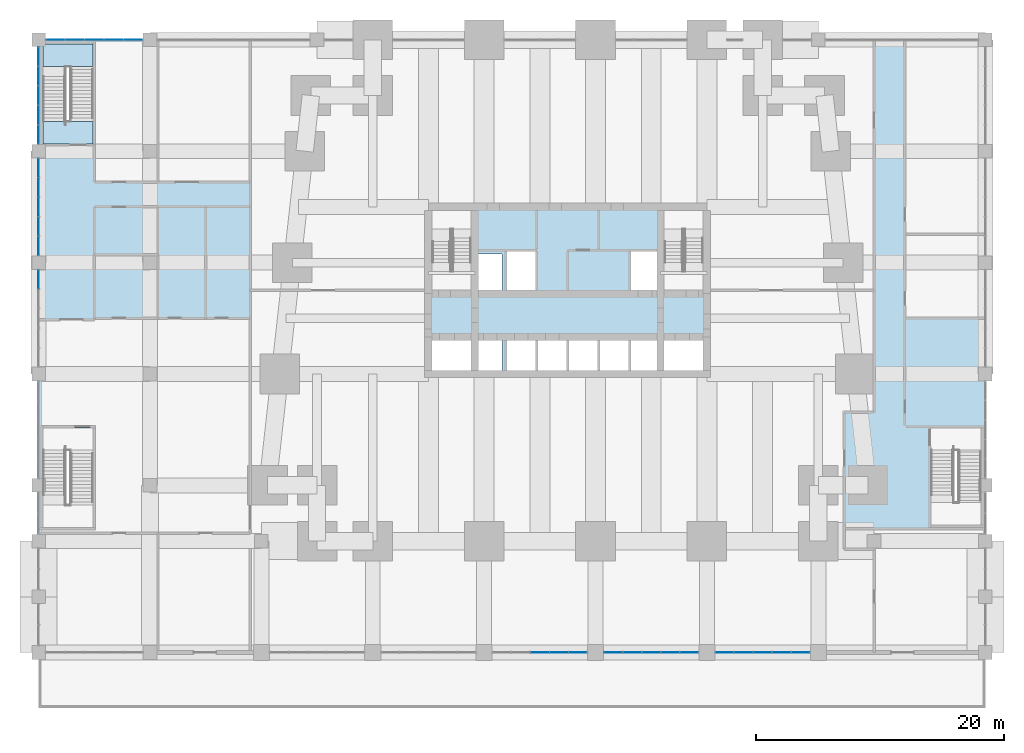
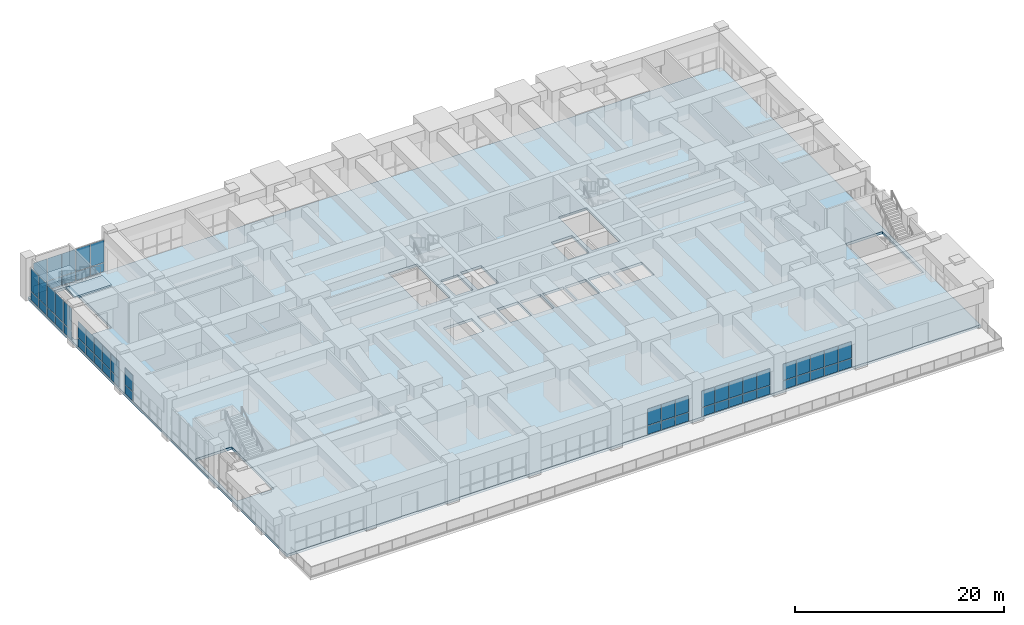
# One storey, part 18 of 27: 58 plates, 3 slabs, 8 elements without a shape of their own.
"""IFC4 building model written with IfcOpenShell, lengths in metres."""

import ifcopenshell
import ifcopenshell.guid

model = None  # the IFC model being written
_history = None  # IfcOwnerHistory: only IFC2X3 demands one
_inside = {}  # id of a spatial element -> (the spatial element, [elements in it])
_under = {}  # id of a project, library or spatial element -> (it, [spatial elements below it])
_declared = {}  # id of a project -> (the project, [libraries it declares])
_typed = {}  # id of a type object -> (the type object, [elements of that type])
_made_of = {}  # id of a material, layer set ... -> (it, [elements and type objects made of it])


def new_model(schema):
    """Start an empty IFC model of exactly this schema.

    Asked for "IFC4X3", IfcOpenShell would pick the latest addendum, in which some entities
    have other attributes; the version numbers below select the first issue.
    IFC2X3 requires an IfcOwnerHistory on every rooted entity: one is made here for all.
    """
    global model, _history
    if schema == "IFC4X3":
        model = ifcopenshell.file(schema_version=(4, 3, 0, 0))
    else:
        model = ifcopenshell.file(schema=schema)
    _inside.clear()
    _under.clear()
    _declared.clear()
    _typed.clear()
    _made_of.clear()
    _history = None
    if model.schema == "IFC2X3":
        org = make("IfcOrganization", Name="unknown")
        user = make(
            "IfcPersonAndOrganization",
            ThePerson=make("IfcPerson", FamilyName="unknown"),
            TheOrganization=org,
        )
        app = make(
            "IfcApplication",
            ApplicationDeveloper=org,
            Version="unknown",
            ApplicationFullName="unknown",
            ApplicationIdentifier="unknown",
        )
        _history = make(
            "IfcOwnerHistory",
            OwningUser=user,
            OwningApplication=app,
            ChangeAction="ADDED",
            CreationDate=0,
        )
    return model


def make(cls, **values):
    """One entity of the class cls with the attributes given. An attribute that is None is left unset."""
    return model.create_entity(
        cls, **{name: value for name, value in values.items() if value is not None}
    )


def rooted(cls, **values):
    """An entity with a GlobalId (a new one), such as an element, a storey or a relation."""
    return make(cls, GlobalId=ifcopenshell.guid.new(), OwnerHistory=_history, **values)


def si_unit(unit_type, name, prefix=None):
    """IfcSIUnit, for example si_unit("LENGTHUNIT", "METRE", prefix="MILLI")."""
    return make("IfcSIUnit", UnitType=unit_type, Prefix=prefix, Name=name)


def assignment(units):
    """IfcUnitAssignment: the units of a project."""
    return None if units is None else make("IfcUnitAssignment", Units=units)


def point(xyz):
    """IfcCartesianPoint."""
    return None if xyz is None else make("IfcCartesianPoint", Coordinates=xyz)


def direction(xyz):
    """IfcDirection."""
    return None if xyz is None else make("IfcDirection", DirectionRatios=xyz)


def frame(location, z_axis=None, x_axis=None):
    """IfcAxis2Placement3D, a coordinate frame: its origin and axes. An axis left out is left unset."""
    return make(
        "IfcAxis2Placement3D",
        Location=point(location),
        Axis=direction(z_axis),
        RefDirection=direction(x_axis),
    )


def frame_2d(location, x_axis=None):
    """IfcAxis2Placement2D, a coordinate frame in the plane: its origin and x axis."""
    return make(
        "IfcAxis2Placement2D", Location=point(location), RefDirection=direction(x_axis)
    )


def origin():
    """The frame at (0, 0, 0) with its axes left unset."""
    return frame((0.0, 0.0, 0.0))


def origin_2d():
    """The frame at (0, 0) in the plane with its x axis left unset."""
    return frame_2d((0.0, 0.0))


def place(relative_to, where):
    """IfcLocalPlacement: puts the frame where relative to a parent placement (None: the world)."""
    return make(
        "IfcLocalPlacement", PlacementRelTo=relative_to, RelativePlacement=where
    )


def context(
    kind, dimensions, precision=None, world=None, true_north=None, identifier=None
):
    """IfcGeometricRepresentationContext, for example the 3D "Model" context."""
    return make(
        "IfcGeometricRepresentationContext",
        ContextIdentifier=identifier,
        ContextType=kind,
        CoordinateSpaceDimension=dimensions,
        Precision=precision,
        WorldCoordinateSystem=world,
        TrueNorth=true_north,
    )


def subcontext(parent, identifier, kind, view, scale=None):
    """IfcGeometricRepresentationSubContext, for example "Body" below "Model"."""
    return make(
        "IfcGeometricRepresentationSubContext",
        ContextIdentifier=identifier,
        ContextType=kind,
        ParentContext=parent,
        TargetScale=scale,
        TargetView=view,
    )


def project(units=None, contexts=None):
    """IfcProject with its units and contexts."""
    return rooted(
        "IfcProject",
        Name="project",
        RepresentationContexts=contexts,
        UnitsInContext=assignment(units),
    )


def spatial(cls, under=None, at=None, **own):
    """A site, building, storey or space (cls), placed at a placement, below another one or the project."""
    s = rooted(cls, ObjectPlacement=at, **own)
    if under is not None:
        _under.setdefault(under.id(), (under, []))[1].append(s)
    return s


def polyline(points):
    """IfcPolyline through the points."""
    return make("IfcPolyline", Points=[point(p) for p in points])


def profile(cls, at=None, kind="AREA", **sizes):
    """A parametric profile (cls). Its sizes go by their IFC names, for example OverallWidth=200.0."""
    return make(cls, ProfileType=kind, Position=at, **sizes)


def rectangle(**sizes):
    """IfcRectangleProfileDef."""
    return profile("IfcRectangleProfileDef", **sizes)


def outline(outer, holes=None, kind="AREA"):
    """IfcArbitraryClosedProfileDef: a profile drawn as a closed curve; with holes, ...WithVoids."""
    if holes is None:
        return make("IfcArbitraryClosedProfileDef", ProfileType=kind, OuterCurve=outer)
    return make(
        "IfcArbitraryProfileDefWithVoids",
        ProfileType=kind,
        OuterCurve=outer,
        InnerCurves=holes,
    )


def extrude(swept, where, along, depth):
    """IfcExtrudedAreaSolid: the profile swept, set in the frame where, extruded along a direction by depth."""
    return make(
        "IfcExtrudedAreaSolid",
        SweptArea=swept,
        Position=where,
        ExtrudedDirection=direction(along),
        Depth=depth,
    )


def shape(context_of_items, identifier, shape_type, items):
    """IfcShapeRepresentation: the items that make up one representation, for example the "Body"."""
    return make(
        "IfcShapeRepresentation",
        ContextOfItems=context_of_items,
        RepresentationIdentifier=identifier,
        RepresentationType=shape_type,
        Items=items,
    )


def material(Name=None, Category=None):
    """IfcMaterial."""
    return make("IfcMaterial", Name=Name, Category=Category)


def layer(
    of_material, thickness, ventilated=None, Name=None, Category=None, Priority=None
):
    """IfcMaterialLayer: one layer of a wall or slab, of a material (None: an air gap)."""
    return make(
        "IfcMaterialLayer",
        Material=of_material,
        LayerThickness=thickness,
        IsVentilated=ventilated,
        Name=Name,
        Category=Category,
        Priority=Priority,
    )


def layer_set(layers, Name=None):
    """IfcMaterialLayerSet."""
    return make("IfcMaterialLayerSet", MaterialLayers=layers, LayerSetName=Name)


def made_of(thing, what):
    """Note that an element or type object is made of a material, layer set ...; save() writes the relation."""
    if what is not None:
        _made_of.setdefault(what.id(), (what, []))[1].append(thing)
    return thing


def type_object(cls, material=None, **own):
    """A type object (cls), such as IfcWallType, which elements share."""
    return made_of(rooted(cls, **own), material)


def element(
    cls,
    number,
    at=None,
    inside=None,
    cuts=None,
    type_object=None,
    material=None,
    context=None,
    identifier="Body",
    shape_type=None,
    held_by="IfcProductDefinitionShape",
    body=None,
    shapes=None,
    **own,
):
    """One element of the class cls, such as IfcWall. Its Tag is "e" and its number.

    at: its placement. inside: the storey or other place that contains it. cuts: it is an
    opening in that element (IfcRelVoidsElement). A single representation is given by context,
    identifier, shape_type and body (its items); several are given by shapes. held_by: the class
    of the entity that holds the representations. save() writes the other relations.
    """
    e = rooted(cls, Tag="e%d" % number, ObjectPlacement=at, **own)
    if body is not None:
        shapes = [shape(context, identifier, shape_type, body)]
    if shapes is not None:
        e.Representation = make(held_by, Representations=shapes)
    if inside is not None:
        _inside.setdefault(inside.id(), (inside, []))[1].append(e)
    if cuts is not None:
        rooted(
            "IfcRelVoidsElement", RelatingBuildingElement=cuts, RelatedOpeningElement=e
        )
    if type_object is not None:
        _typed.setdefault(type_object.id(), (type_object, []))[1].append(e)
    return made_of(e, material)


def aggregate(whole, parts):
    """IfcRelAggregates: a whole, such as a stair, and the parts it consists of."""
    return rooted("IfcRelAggregates", RelatingObject=whole, RelatedObjects=parts)


def save(model, path):
    """Write the relations noted so far, then the file.

    IfcRelAggregates (storeys below a building ...), IfcRelContainedInSpatialStructure (elements
    in a storey), IfcRelDefinesByType, IfcRelAssociatesMaterial and IfcRelDeclares: one each for
    every whole, place, type object, material and project.
    """
    for whole, parts in _under.values():
        aggregate(whole, parts)
    for where, things in _inside.values():
        rooted(
            "IfcRelContainedInSpatialStructure",
            RelatedElements=things,
            RelatingStructure=where,
        )
    for kind, things in _typed.values():
        rooted("IfcRelDefinesByType", RelatedObjects=things, RelatingType=kind)
    for what, things in _made_of.values():
        rooted("IfcRelAssociatesMaterial", RelatedObjects=things, RelatingMaterial=what)
    for by, libraries in _declared.values():
        rooted("IfcRelDeclares", RelatingContext=by, RelatedDefinitions=libraries)
    model.write(path)


model = new_model("IFC4")

# Units and contexts
model_context = context("Model", 3, precision=1e-05, world=origin(), true_north=direction((0.0, 1.0)))
body_context = subcontext(model_context, "Body", "Model", "MODEL_VIEW")
ifc_project = project(units=[si_unit("LENGTHUNIT", "METRE"), si_unit("AREAUNIT", "SQUARE_METRE"), si_unit("VOLUMEUNIT", "CUBIC_METRE"), si_unit("PLANEANGLEUNIT", "RADIAN"), si_unit("MASSUNIT", "GRAM", prefix="KILO")], contexts=[model_context])

# Site, building, storey
site_placement = place(None, origin())
site = spatial("IfcSite", under=ifc_project, at=site_placement, CompositionType="ELEMENT")
building_placement = place(site_placement, origin())
building = spatial("IfcBuilding", under=site, at=building_placement, Name="Kilele Tower Hotel", CompositionType="ELEMENT")
storey_placement = place(building_placement, frame((0.0, 0.0, 6.0)))
storey = spatial("IfcBuildingStorey", under=building, at=storey_placement, Name="L01", CompositionType="ELEMENT", Elevation=6.0)

# Slab
ifc_material_1 = material(Name="Concrete C60/75", Category="concrete")
ifc_layer_1 = layer(ifc_material_1, 0.300048828125)
ifc_layer_set_1 = layer_set([ifc_layer_1], Name="Concrete C60/75")
slab_type_1 = type_object("IfcSlabType", Name="Floor slab 300", PredefinedType="FLOOR", material=ifc_layer_set_1)
slab_1_placement = place(storey_placement, frame((0.0, 0.0, -0.300048828125)))
element("IfcSlab", 1, at=slab_1_placement, inside=storey, type_object=slab_type_1, Name="Floor slab L01", PredefinedType="FLOOR", context=body_context, shape_type="SweptSolid", body=[
    extrude(outline(polyline([(-18.0, -9.0), (-18.0, 40.5), (58.5, 40.5), (58.5, -9.0), (-18.0, -9.0)]), holes=[polyline([(-13.60009765625, 1.10009765625), (-13.60009765625, 9.14990234375), (-17.64990234375, 9.14990234375), (-17.64990234375, 1.10009765625), (-13.60009765625, 1.10009765625)]), polyline([(16.949951171875, 13.800048828125), (16.949951171875, 16.199951171875), (13.800048828125, 16.199951171875), (13.800048828125, 13.800048828125), (16.949951171875, 13.800048828125)]), polyline([(19.449951171875, 13.800048828125), (19.449951171875, 16.199951171875), (17.550048828125, 16.199951171875), (17.550048828125, 13.800048828125), (19.449951171875, 13.800048828125)]), polyline([(22.14990234375, 13.800048828125), (22.14990234375, 16.39990234375), (19.85009765625, 16.39990234375), (19.85009765625, 13.800048828125), (22.14990234375, 13.800048828125)]), polyline([(19.449951171875, 20.300048828125), (19.449951171875, 23.199951171875), (17.550048828125, 23.199951171875), (17.550048828125, 20.300048828125), (19.449951171875, 20.300048828125)]), polyline([(22.14990234375, 20.10009765625), (22.14990234375, 23.39990234375), (19.85009765625, 23.39990234375), (19.85009765625, 20.10009765625), (22.14990234375, 20.10009765625)]), polyline([(16.949951171875, 20.300048828125), (16.949951171875, 26.699951171875), (13.800048828125, 26.699951171875), (13.800048828125, 20.300048828125), (16.949951171875, 20.300048828125)]), polyline([(-13.60009765625, 32.10009765625), (-13.60009765625, 40.14990234375), (-17.64990234375, 40.14990234375), (-17.64990234375, 32.10009765625), (-13.60009765625, 32.10009765625)]), polyline([(58.14990234375, 1.300048828125), (58.14990234375, 9.14990234375), (54.10009765625, 9.14990234375), (54.10009765625, 1.300048828125), (58.14990234375, 1.300048828125)]), polyline([(35.699951171875, 13.800048828125), (35.699951171875, 16.199951171875), (32.550048828125, 16.199951171875), (32.550048828125, 13.800048828125), (35.699951171875, 13.800048828125)]), polyline([(24.64990234375, 13.800048828125), (24.64990234375, 16.39990234375), (22.35009765625, 16.39990234375), (22.35009765625, 13.800048828125), (24.64990234375, 13.800048828125)]), polyline([(27.14990234375, 13.800048828125), (27.14990234375, 16.39990234375), (24.85009765625, 16.39990234375), (24.85009765625, 13.800048828125), (27.14990234375, 13.800048828125)]), polyline([(29.64990234375, 13.800048828125), (29.64990234375, 16.39990234375), (27.35009765625, 16.39990234375), (27.35009765625, 13.800048828125), (29.64990234375, 13.800048828125)]), polyline([(32.14990234375, 13.800048828125), (32.14990234375, 16.39990234375), (29.85009765625, 16.39990234375), (29.85009765625, 13.800048828125), (32.14990234375, 13.800048828125)]), polyline([(32.14990234375, 20.10009765625), (32.14990234375, 23.39990234375), (29.85009765625, 23.39990234375), (29.85009765625, 20.10009765625), (32.14990234375, 20.10009765625)]), polyline([(35.699951171875, 20.300048828125), (35.699951171875, 26.699951171875), (32.550048828125, 26.699951171875), (32.550048828125, 20.300048828125), (35.699951171875, 20.300048828125)])]), origin(), (0.0, 0.0, 1.0), 0.300048828125),
])

# Curtain wall, plates
ifc_material_2 = material(Name="Aluminium curtain wall, clear double glazing", Category="aluminium")
curtain_wall_type_1 = type_object("IfcCurtainWallType", Name="Podium curtain wall CW-1", PredefinedType="NOTDEFINED", material=ifc_material_2)
curtain_wall_1_placement = place(storey_placement, origin())
curtain_wall_1 = element("IfcCurtainWall", 2, at=curtain_wall_1_placement, inside=storey, type_object=curtain_wall_type_1, Name="Podium curtain wall CW-1 L01", PredefinedType="NOTDEFINED")
ifc_material_3 = material(Name="Clear double glazing", Category="glass")
ifc_layer_2 = layer(ifc_material_3, 0.028076171875)
ifc_layer_set_2 = layer_set([ifc_layer_2], Name="Clear double glazing")
plate_type_1 = type_object("IfcPlateType", Name="Glazed panel 28 CW-1", PredefinedType="CURTAIN_PANEL", material=ifc_layer_set_2)
plate_1_placement = place(storey_placement, frame((22.5, -9.0, 0.06005859375), z_axis=(0.0, 0.0, 1.0), x_axis=(1.0, 0.0, 0.0)))
plate_1 = element("IfcPlate", 3, at=plate_1_placement, type_object=plate_type_1, Name="CW-1 panel 3.1", PredefinedType="CURTAIN_PANEL", context=body_context, shape_type="SweptSolid", body=[
    extrude(rectangle(XDim=1.47998046875, YDim=0.028076171875, at=origin_2d()), origin(), (0.0, 0.0, 1.0), 1.010009765625),
])
plate_2_placement = place(storey_placement, frame((22.5, -9.0, 1.1298828125), z_axis=(0.0, 0.0, 1.0), x_axis=(1.0, 0.0, 0.0)))
plate_2 = element("IfcPlate", 4, at=plate_2_placement, type_object=plate_type_1, Name="CW-1 panel 3.2", PredefinedType="CURTAIN_PANEL", context=body_context, shape_type="SweptSolid", body=[
    extrude(rectangle(XDim=1.47998046875, YDim=0.028076171875, at=origin_2d()), origin(), (0.0, 0.0, 1.0), 1.909912109375),
])
plate_3_placement = place(storey_placement, frame((24.0400390625, -9.0, 0.06005859375), z_axis=(0.0, 0.0, 1.0), x_axis=(1.0, 0.0, 0.0)))
plate_3 = element("IfcPlate", 5, at=plate_3_placement, type_object=plate_type_1, Name="CW-1 panel 4.1", PredefinedType="CURTAIN_PANEL", context=body_context, shape_type="SweptSolid", body=[
    extrude(rectangle(XDim=1.47998046875, YDim=0.028076171875, at=origin_2d()), origin(), (0.0, 0.0, 1.0), 1.010009765625),
])
plate_4_placement = place(storey_placement, frame((24.0400390625, -9.0, 1.1298828125), z_axis=(0.0, 0.0, 1.0), x_axis=(1.0, 0.0, 0.0)))
plate_4 = element("IfcPlate", 6, at=plate_4_placement, type_object=plate_type_1, Name="CW-1 panel 4.2", PredefinedType="CURTAIN_PANEL", context=body_context, shape_type="SweptSolid", body=[
    extrude(rectangle(XDim=1.47998046875, YDim=0.028076171875, at=origin_2d()), origin(), (0.0, 0.0, 1.0), 1.909912109375),
])
plate_5_placement = place(storey_placement, frame((25.56494140625, -9.0, 0.06005859375), z_axis=(0.0, 0.0, 1.0), x_axis=(1.0, 0.0, 0.0)))
plate_5 = element("IfcPlate", 7, at=plate_5_placement, type_object=plate_type_1, Name="CW-1 panel 5.1", PredefinedType="CURTAIN_PANEL", context=body_context, shape_type="SweptSolid", body=[
    extrude(rectangle(XDim=1.449951171875, YDim=0.028076171875, at=origin_2d()), origin(), (0.0, 0.0, 1.0), 1.010009765625),
])
plate_6_placement = place(storey_placement, frame((25.56494140625, -9.0, 1.1298828125), z_axis=(0.0, 0.0, 1.0), x_axis=(1.0, 0.0, 0.0)))
plate_6 = element("IfcPlate", 8, at=plate_6_placement, type_object=plate_type_1, Name="CW-1 panel 5.2", PredefinedType="CURTAIN_PANEL", context=body_context, shape_type="SweptSolid", body=[
    extrude(rectangle(XDim=1.449951171875, YDim=0.028076171875, at=origin_2d()), origin(), (0.0, 0.0, 1.0), 1.909912109375),
])
aggregate(curtain_wall_1, [plate_1, plate_2, plate_3, plate_4, plate_5, plate_6])

curtain_wall_2_placement = place(storey_placement, origin())
curtain_wall_2 = element("IfcCurtainWall", 9, at=curtain_wall_2_placement, inside=storey, type_object=curtain_wall_type_1, Name="Podium curtain wall CW-1 L01", PredefinedType="NOTDEFINED")
plate_7_placement = place(storey_placement, frame((28.43505859375, -9.0, 0.06005859375), z_axis=(0.0, 0.0, 1.0), x_axis=(1.0, 0.0, 0.0)))
plate_7 = element("IfcPlate", 10, at=plate_7_placement, type_object=plate_type_1, Name="CW-1 panel 1.1", PredefinedType="CURTAIN_PANEL", context=body_context, shape_type="SweptSolid", body=[
    extrude(rectangle(XDim=1.449951171875, YDim=0.028076171875, at=origin_2d()), origin(), (0.0, 0.0, 1.0), 1.010009765625),
])
plate_8_placement = place(storey_placement, frame((28.43505859375, -9.0, 1.1298828125), z_axis=(0.0, 0.0, 1.0), x_axis=(1.0, 0.0, 0.0)))
plate_8 = element("IfcPlate", 11, at=plate_8_placement, type_object=plate_type_1, Name="CW-1 panel 1.2", PredefinedType="CURTAIN_PANEL", context=body_context, shape_type="SweptSolid", body=[
    extrude(rectangle(XDim=1.449951171875, YDim=0.028076171875, at=origin_2d()), origin(), (0.0, 0.0, 1.0), 1.909912109375),
])
plate_9_placement = place(storey_placement, frame((29.9599609375, -9.0, 0.06005859375), z_axis=(0.0, 0.0, 1.0), x_axis=(1.0, 0.0, 0.0)))
plate_9 = element("IfcPlate", 12, at=plate_9_placement, type_object=plate_type_1, Name="CW-1 panel 2.1", PredefinedType="CURTAIN_PANEL", context=body_context, shape_type="SweptSolid", body=[
    extrude(rectangle(XDim=1.47998046875, YDim=0.028076171875, at=origin_2d()), origin(), (0.0, 0.0, 1.0), 1.010009765625),
])
plate_10_placement = place(storey_placement, frame((29.9599609375, -9.0, 1.1298828125), z_axis=(0.0, 0.0, 1.0), x_axis=(1.0, 0.0, 0.0)))
plate_10 = element("IfcPlate", 13, at=plate_10_placement, type_object=plate_type_1, Name="CW-1 panel 2.2", PredefinedType="CURTAIN_PANEL", context=body_context, shape_type="SweptSolid", body=[
    extrude(rectangle(XDim=1.47998046875, YDim=0.028076171875, at=origin_2d()), origin(), (0.0, 0.0, 1.0), 1.909912109375),
])
plate_11_placement = place(storey_placement, frame((31.5, -9.0, 0.06005859375), z_axis=(0.0, 0.0, 1.0), x_axis=(1.0, 0.0, 0.0)))
plate_11 = element("IfcPlate", 14, at=plate_11_placement, type_object=plate_type_1, Name="CW-1 panel 3.1", PredefinedType="CURTAIN_PANEL", context=body_context, shape_type="SweptSolid", body=[
    extrude(rectangle(XDim=1.47998046875, YDim=0.028076171875, at=origin_2d()), origin(), (0.0, 0.0, 1.0), 1.010009765625),
])
plate_12_placement = place(storey_placement, frame((31.5, -9.0, 1.1298828125), z_axis=(0.0, 0.0, 1.0), x_axis=(1.0, 0.0, 0.0)))
plate_12 = element("IfcPlate", 15, at=plate_12_placement, type_object=plate_type_1, Name="CW-1 panel 3.2", PredefinedType="CURTAIN_PANEL", context=body_context, shape_type="SweptSolid", body=[
    extrude(rectangle(XDim=1.47998046875, YDim=0.028076171875, at=origin_2d()), origin(), (0.0, 0.0, 1.0), 1.909912109375),
])
plate_13_placement = place(storey_placement, frame((33.0400390625, -9.0, 0.06005859375), z_axis=(0.0, 0.0, 1.0), x_axis=(1.0, 0.0, 0.0)))
plate_13 = element("IfcPlate", 16, at=plate_13_placement, type_object=plate_type_1, Name="CW-1 panel 4.1", PredefinedType="CURTAIN_PANEL", context=body_context, shape_type="SweptSolid", body=[
    extrude(rectangle(XDim=1.47998046875, YDim=0.028076171875, at=origin_2d()), origin(), (0.0, 0.0, 1.0), 1.010009765625),
])
plate_14_placement = place(storey_placement, frame((33.0400390625, -9.0, 1.1298828125), z_axis=(0.0, 0.0, 1.0), x_axis=(1.0, 0.0, 0.0)))
plate_14 = element("IfcPlate", 17, at=plate_14_placement, type_object=plate_type_1, Name="CW-1 panel 4.2", PredefinedType="CURTAIN_PANEL", context=body_context, shape_type="SweptSolid", body=[
    extrude(rectangle(XDim=1.47998046875, YDim=0.028076171875, at=origin_2d()), origin(), (0.0, 0.0, 1.0), 1.909912109375),
])
plate_15_placement = place(storey_placement, frame((34.56494140625, -9.0, 0.06005859375), z_axis=(0.0, 0.0, 1.0), x_axis=(1.0, 0.0, 0.0)))
plate_15 = element("IfcPlate", 18, at=plate_15_placement, type_object=plate_type_1, Name="CW-1 panel 5.1", PredefinedType="CURTAIN_PANEL", context=body_context, shape_type="SweptSolid", body=[
    extrude(rectangle(XDim=1.449951171875, YDim=0.028076171875, at=origin_2d()), origin(), (0.0, 0.0, 1.0), 1.010009765625),
])
plate_16_placement = place(storey_placement, frame((34.56494140625, -9.0, 1.1298828125), z_axis=(0.0, 0.0, 1.0), x_axis=(1.0, 0.0, 0.0)))
plate_16 = element("IfcPlate", 19, at=plate_16_placement, type_object=plate_type_1, Name="CW-1 panel 5.2", PredefinedType="CURTAIN_PANEL", context=body_context, shape_type="SweptSolid", body=[
    extrude(rectangle(XDim=1.449951171875, YDim=0.028076171875, at=origin_2d()), origin(), (0.0, 0.0, 1.0), 1.909912109375),
])
aggregate(curtain_wall_2, [plate_7, plate_8, plate_9, plate_10, plate_11, plate_12, plate_13, plate_14, plate_15, plate_16])

curtain_wall_3_placement = place(storey_placement, origin())
curtain_wall_3 = element("IfcCurtainWall", 20, at=curtain_wall_3_placement, inside=storey, type_object=curtain_wall_type_1, Name="Podium curtain wall CW-1 L01", PredefinedType="NOTDEFINED")
plate_17_placement = place(storey_placement, frame((37.43505859375, -9.0, 0.06005859375), z_axis=(0.0, 0.0, 1.0), x_axis=(1.0, 0.0, 0.0)))
plate_17 = element("IfcPlate", 21, at=plate_17_placement, type_object=plate_type_1, Name="CW-1 panel 1.1", PredefinedType="CURTAIN_PANEL", context=body_context, shape_type="SweptSolid", body=[
    extrude(rectangle(XDim=1.449951171875, YDim=0.028076171875, at=origin_2d()), origin(), (0.0, 0.0, 1.0), 1.010009765625),
])
plate_18_placement = place(storey_placement, frame((37.43505859375, -9.0, 1.1298828125), z_axis=(0.0, 0.0, 1.0), x_axis=(1.0, 0.0, 0.0)))
plate_18 = element("IfcPlate", 22, at=plate_18_placement, type_object=plate_type_1, Name="CW-1 panel 1.2", PredefinedType="CURTAIN_PANEL", context=body_context, shape_type="SweptSolid", body=[
    extrude(rectangle(XDim=1.449951171875, YDim=0.028076171875, at=origin_2d()), origin(), (0.0, 0.0, 1.0), 1.909912109375),
])
plate_19_placement = place(storey_placement, frame((38.9599609375, -9.0, 0.06005859375), z_axis=(0.0, 0.0, 1.0), x_axis=(1.0, 0.0, 0.0)))
plate_19 = element("IfcPlate", 23, at=plate_19_placement, type_object=plate_type_1, Name="CW-1 panel 2.1", PredefinedType="CURTAIN_PANEL", context=body_context, shape_type="SweptSolid", body=[
    extrude(rectangle(XDim=1.47998046875, YDim=0.028076171875, at=origin_2d()), origin(), (0.0, 0.0, 1.0), 1.010009765625),
])
plate_20_placement = place(storey_placement, frame((38.9599609375, -9.0, 1.1298828125), z_axis=(0.0, 0.0, 1.0), x_axis=(1.0, 0.0, 0.0)))
plate_20 = element("IfcPlate", 24, at=plate_20_placement, type_object=plate_type_1, Name="CW-1 panel 2.2", PredefinedType="CURTAIN_PANEL", context=body_context, shape_type="SweptSolid", body=[
    extrude(rectangle(XDim=1.47998046875, YDim=0.028076171875, at=origin_2d()), origin(), (0.0, 0.0, 1.0), 1.909912109375),
])
plate_21_placement = place(storey_placement, frame((40.5, -9.0, 0.06005859375), z_axis=(0.0, 0.0, 1.0), x_axis=(1.0, 0.0, 0.0)))
plate_21 = element("IfcPlate", 25, at=plate_21_placement, type_object=plate_type_1, Name="CW-1 panel 3.1", PredefinedType="CURTAIN_PANEL", context=body_context, shape_type="SweptSolid", body=[
    extrude(rectangle(XDim=1.47998046875, YDim=0.028076171875, at=origin_2d()), origin(), (0.0, 0.0, 1.0), 1.010009765625),
])
plate_22_placement = place(storey_placement, frame((40.5, -9.0, 1.1298828125), z_axis=(0.0, 0.0, 1.0), x_axis=(1.0, 0.0, 0.0)))
plate_22 = element("IfcPlate", 26, at=plate_22_placement, type_object=plate_type_1, Name="CW-1 panel 3.2", PredefinedType="CURTAIN_PANEL", context=body_context, shape_type="SweptSolid", body=[
    extrude(rectangle(XDim=1.47998046875, YDim=0.028076171875, at=origin_2d()), origin(), (0.0, 0.0, 1.0), 1.909912109375),
])
plate_23_placement = place(storey_placement, frame((42.0400390625, -9.0, 0.06005859375), z_axis=(0.0, 0.0, 1.0), x_axis=(1.0, 0.0, 0.0)))
plate_23 = element("IfcPlate", 27, at=plate_23_placement, type_object=plate_type_1, Name="CW-1 panel 4.1", PredefinedType="CURTAIN_PANEL", context=body_context, shape_type="SweptSolid", body=[
    extrude(rectangle(XDim=1.47998046875, YDim=0.028076171875, at=origin_2d()), origin(), (0.0, 0.0, 1.0), 1.010009765625),
])
plate_24_placement = place(storey_placement, frame((42.0400390625, -9.0, 1.1298828125), z_axis=(0.0, 0.0, 1.0), x_axis=(1.0, 0.0, 0.0)))
plate_24 = element("IfcPlate", 28, at=plate_24_placement, type_object=plate_type_1, Name="CW-1 panel 4.2", PredefinedType="CURTAIN_PANEL", context=body_context, shape_type="SweptSolid", body=[
    extrude(rectangle(XDim=1.47998046875, YDim=0.028076171875, at=origin_2d()), origin(), (0.0, 0.0, 1.0), 1.909912109375),
])
plate_25_placement = place(storey_placement, frame((43.56494140625, -9.0, 0.06005859375), z_axis=(0.0, 0.0, 1.0), x_axis=(1.0, 0.0, 0.0)))
plate_25 = element("IfcPlate", 29, at=plate_25_placement, type_object=plate_type_1, Name="CW-1 panel 5.1", PredefinedType="CURTAIN_PANEL", context=body_context, shape_type="SweptSolid", body=[
    extrude(rectangle(XDim=1.449951171875, YDim=0.028076171875, at=origin_2d()), origin(), (0.0, 0.0, 1.0), 1.010009765625),
])
plate_26_placement = place(storey_placement, frame((43.56494140625, -9.0, 1.1298828125), z_axis=(0.0, 0.0, 1.0), x_axis=(1.0, 0.0, 0.0)))
plate_26 = element("IfcPlate", 30, at=plate_26_placement, type_object=plate_type_1, Name="CW-1 panel 5.2", PredefinedType="CURTAIN_PANEL", context=body_context, shape_type="SweptSolid", body=[
    extrude(rectangle(XDim=1.449951171875, YDim=0.028076171875, at=origin_2d()), origin(), (0.0, 0.0, 1.0), 1.909912109375),
])
aggregate(curtain_wall_3, [plate_17, plate_18, plate_19, plate_20, plate_21, plate_22, plate_23, plate_24, plate_25, plate_26])

curtain_wall_4_placement = place(storey_placement, origin())
curtain_wall_4 = element("IfcCurtainWall", 31, at=curtain_wall_4_placement, inside=storey, type_object=curtain_wall_type_1, Name="Podium curtain wall CW-1 L01", PredefinedType="NOTDEFINED")
plate_27_placement = place(storey_placement, frame((-10.35498046875, 40.5, 0.06005859375), z_axis=(0.0, 0.0, 1.0), x_axis=(-1.0, 0.0, 0.0)))
plate_27 = element("IfcPlate", 32, at=plate_27_placement, type_object=plate_type_1, Name="CW-1 panel 1.1", PredefinedType="CURTAIN_PANEL", context=body_context, shape_type="SweptSolid", body=[
    extrude(rectangle(XDim=1.489990234375, YDim=0.028076171875, at=origin_2d()), origin(), (0.0, 0.0, 1.0), 1.010009765625),
])
plate_28_placement = place(storey_placement, frame((-10.35498046875, 40.5, 1.1298828125), z_axis=(0.0, 0.0, 1.0), x_axis=(-1.0, 0.0, 0.0)))
plate_28 = element("IfcPlate", 33, at=plate_28_placement, type_object=plate_type_1, Name="CW-1 panel 1.2", PredefinedType="CURTAIN_PANEL", context=body_context, shape_type="SweptSolid", body=[
    extrude(rectangle(XDim=1.489990234375, YDim=0.028076171875, at=origin_2d()), origin(), (0.0, 0.0, 1.0), 2.610107421875),
])
plate_29_placement = place(storey_placement, frame((-11.919921875, 40.5, 0.06005859375), z_axis=(0.0, 0.0, 1.0), x_axis=(-1.0, 0.0, 0.0)))
plate_29 = element("IfcPlate", 34, at=plate_29_placement, type_object=plate_type_1, Name="CW-1 panel 2.1", PredefinedType="CURTAIN_PANEL", context=body_context, shape_type="SweptSolid", body=[
    extrude(rectangle(XDim=1.52001953125, YDim=0.028076171875, at=origin_2d()), origin(), (0.0, 0.0, 1.0), 1.010009765625),
])
plate_30_placement = place(storey_placement, frame((-11.919921875, 40.5, 1.1298828125), z_axis=(0.0, 0.0, 1.0), x_axis=(-1.0, 0.0, 0.0)))
plate_30 = element("IfcPlate", 35, at=plate_30_placement, type_object=plate_type_1, Name="CW-1 panel 2.2", PredefinedType="CURTAIN_PANEL", context=body_context, shape_type="SweptSolid", body=[
    extrude(rectangle(XDim=1.52001953125, YDim=0.028076171875, at=origin_2d()), origin(), (0.0, 0.0, 1.0), 2.610107421875),
])
plate_31_placement = place(storey_placement, frame((-13.5, 40.5, 0.06005859375), z_axis=(0.0, 0.0, 1.0), x_axis=(-1.0, 0.0, 0.0)))
plate_31 = element("IfcPlate", 36, at=plate_31_placement, type_object=plate_type_1, Name="CW-1 panel 3.1", PredefinedType="CURTAIN_PANEL", context=body_context, shape_type="SweptSolid", body=[
    extrude(rectangle(XDim=1.52001953125, YDim=0.028076171875, at=origin_2d()), origin(), (0.0, 0.0, 1.0), 1.010009765625),
])
plate_32_placement = place(storey_placement, frame((-13.5, 40.5, 1.1298828125), z_axis=(0.0, 0.0, 1.0), x_axis=(-1.0, 0.0, 0.0)))
plate_32 = element("IfcPlate", 37, at=plate_32_placement, type_object=plate_type_1, Name="CW-1 panel 3.2", PredefinedType="CURTAIN_PANEL", context=body_context, shape_type="SweptSolid", body=[
    extrude(rectangle(XDim=1.52001953125, YDim=0.028076171875, at=origin_2d()), origin(), (0.0, 0.0, 1.0), 2.610107421875),
])
plate_33_placement = place(storey_placement, frame((-15.080078125, 40.5, 0.06005859375), z_axis=(0.0, 0.0, 1.0), x_axis=(-1.0, 0.0, 0.0)))
plate_33 = element("IfcPlate", 38, at=plate_33_placement, type_object=plate_type_1, Name="CW-1 panel 4.1", PredefinedType="CURTAIN_PANEL", context=body_context, shape_type="SweptSolid", body=[
    extrude(rectangle(XDim=1.52001953125, YDim=0.028076171875, at=origin_2d()), origin(), (0.0, 0.0, 1.0), 1.010009765625),
])
plate_34_placement = place(storey_placement, frame((-15.080078125, 40.5, 1.1298828125), z_axis=(0.0, 0.0, 1.0), x_axis=(-1.0, 0.0, 0.0)))
plate_34 = element("IfcPlate", 39, at=plate_34_placement, type_object=plate_type_1, Name="CW-1 panel 4.2", PredefinedType="CURTAIN_PANEL", context=body_context, shape_type="SweptSolid", body=[
    extrude(rectangle(XDim=1.52001953125, YDim=0.028076171875, at=origin_2d()), origin(), (0.0, 0.0, 1.0), 2.610107421875),
])
plate_35_placement = place(storey_placement, frame((-16.64501953125, 40.5, 0.06005859375), z_axis=(0.0, 0.0, 1.0), x_axis=(-1.0, 0.0, 0.0)))
plate_35 = element("IfcPlate", 40, at=plate_35_placement, type_object=plate_type_1, Name="CW-1 panel 5.1", PredefinedType="CURTAIN_PANEL", context=body_context, shape_type="SweptSolid", body=[
    extrude(rectangle(XDim=1.489990234375, YDim=0.028076171875, at=origin_2d()), origin(), (0.0, 0.0, 1.0), 1.010009765625),
])
plate_36_placement = place(storey_placement, frame((-16.64501953125, 40.5, 1.1298828125), z_axis=(0.0, 0.0, 1.0), x_axis=(-1.0, 0.0, 0.0)))
plate_36 = element("IfcPlate", 41, at=plate_36_placement, type_object=plate_type_1, Name="CW-1 panel 5.2", PredefinedType="CURTAIN_PANEL", context=body_context, shape_type="SweptSolid", body=[
    extrude(rectangle(XDim=1.489990234375, YDim=0.028076171875, at=origin_2d()), origin(), (0.0, 0.0, 1.0), 2.610107421875),
])
aggregate(curtain_wall_4, [plate_27, plate_28, plate_29, plate_30, plate_31, plate_32, plate_33, plate_34, plate_35, plate_36])

ifc_material_4 = material(Name="Aluminium curtain wall, clear double glazing", Category="aluminium")
curtain_wall_type_2 = type_object("IfcCurtainWallType", Name="Podium side curtain wall CW-2", PredefinedType="NOTDEFINED", material=ifc_material_4)
curtain_wall_5_placement = place(storey_placement, origin())
curtain_wall_5 = element("IfcCurtainWall", 42, at=curtain_wall_5_placement, inside=storey, type_object=curtain_wall_type_2, Name="Podium side curtain wall CW-2 L01", PredefinedType="NOTDEFINED")
ifc_material_5 = material(Name="Clear double glazing", Category="glass")
ifc_layer_3 = layer(ifc_material_5, 0.028076171875)
ifc_layer_set_3 = layer_set([ifc_layer_3], Name="Clear double glazing")
plate_type_2 = type_object("IfcPlateType", Name="Glazed panel 28 CW-2", PredefinedType="CURTAIN_PANEL", material=ifc_layer_set_3)
plate_37_placement = place(storey_placement, frame((-18.0, 39.14501953125, 0.06005859375), z_axis=(0.0, 0.0, 1.0), x_axis=(0.0, -1.0, 0.0)))
plate_37 = element("IfcPlate", 43, at=plate_37_placement, type_object=plate_type_2, Name="CW-2 panel 1.1", PredefinedType="CURTAIN_PANEL", context=body_context, shape_type="SweptSolid", body=[
    extrude(rectangle(XDim=1.489990234375, YDim=0.028076171875, at=origin_2d()), origin(), (0.0, 0.0, 1.0), 1.010009765625),
])
plate_38_placement = place(storey_placement, frame((-18.0, 39.14501953125, 1.1298828125), z_axis=(0.0, 0.0, 1.0), x_axis=(0.0, -1.0, 0.0)))
plate_38 = element("IfcPlate", 44, at=plate_38_placement, type_object=plate_type_2, Name="CW-2 panel 1.2", PredefinedType="CURTAIN_PANEL", context=body_context, shape_type="SweptSolid", body=[
    extrude(rectangle(XDim=1.489990234375, YDim=0.028076171875, at=origin_2d()), origin(), (0.0, 0.0, 1.0), 2.610107421875),
])
plate_39_placement = place(storey_placement, frame((-18.0, 37.580078125, 0.06005859375), z_axis=(0.0, 0.0, 1.0), x_axis=(0.0, -1.0, 0.0)))
plate_39 = element("IfcPlate", 45, at=plate_39_placement, type_object=plate_type_2, Name="CW-2 panel 2.1", PredefinedType="CURTAIN_PANEL", context=body_context, shape_type="SweptSolid", body=[
    extrude(rectangle(XDim=1.52001953125, YDim=0.028076171875, at=origin_2d()), origin(), (0.0, 0.0, 1.0), 1.010009765625),
])
plate_40_placement = place(storey_placement, frame((-18.0, 37.580078125, 1.1298828125), z_axis=(0.0, 0.0, 1.0), x_axis=(0.0, -1.0, 0.0)))
plate_40 = element("IfcPlate", 46, at=plate_40_placement, type_object=plate_type_2, Name="CW-2 panel 2.2", PredefinedType="CURTAIN_PANEL", context=body_context, shape_type="SweptSolid", body=[
    extrude(rectangle(XDim=1.52001953125, YDim=0.028076171875, at=origin_2d()), origin(), (0.0, 0.0, 1.0), 2.610107421875),
])
plate_41_placement = place(storey_placement, frame((-18.0, 36.0, 0.06005859375), z_axis=(0.0, 0.0, 1.0), x_axis=(0.0, -1.0, 0.0)))
plate_41 = element("IfcPlate", 47, at=plate_41_placement, type_object=plate_type_2, Name="CW-2 panel 3.1", PredefinedType="CURTAIN_PANEL", context=body_context, shape_type="SweptSolid", body=[
    extrude(rectangle(XDim=1.52001953125, YDim=0.028076171875, at=origin_2d()), origin(), (0.0, 0.0, 1.0), 1.010009765625),
])
plate_42_placement = place(storey_placement, frame((-18.0, 36.0, 1.1298828125), z_axis=(0.0, 0.0, 1.0), x_axis=(0.0, -1.0, 0.0)))
plate_42 = element("IfcPlate", 48, at=plate_42_placement, type_object=plate_type_2, Name="CW-2 panel 3.2", PredefinedType="CURTAIN_PANEL", context=body_context, shape_type="SweptSolid", body=[
    extrude(rectangle(XDim=1.52001953125, YDim=0.028076171875, at=origin_2d()), origin(), (0.0, 0.0, 1.0), 2.610107421875),
])
plate_43_placement = place(storey_placement, frame((-18.0, 34.419921875, 0.06005859375), z_axis=(0.0, 0.0, 1.0), x_axis=(0.0, -1.0, 0.0)))
plate_43 = element("IfcPlate", 49, at=plate_43_placement, type_object=plate_type_2, Name="CW-2 panel 4.1", PredefinedType="CURTAIN_PANEL", context=body_context, shape_type="SweptSolid", body=[
    extrude(rectangle(XDim=1.52001953125, YDim=0.028076171875, at=origin_2d()), origin(), (0.0, 0.0, 1.0), 1.010009765625),
])
plate_44_placement = place(storey_placement, frame((-18.0, 34.419921875, 1.1298828125), z_axis=(0.0, 0.0, 1.0), x_axis=(0.0, -1.0, 0.0)))
plate_44 = element("IfcPlate", 50, at=plate_44_placement, type_object=plate_type_2, Name="CW-2 panel 4.2", PredefinedType="CURTAIN_PANEL", context=body_context, shape_type="SweptSolid", body=[
    extrude(rectangle(XDim=1.52001953125, YDim=0.028076171875, at=origin_2d()), origin(), (0.0, 0.0, 1.0), 2.610107421875),
])
plate_45_placement = place(storey_placement, frame((-18.0, 32.85498046875, 0.06005859375), z_axis=(0.0, 0.0, 1.0), x_axis=(0.0, -1.0, 0.0)))
plate_45 = element("IfcPlate", 51, at=plate_45_placement, type_object=plate_type_2, Name="CW-2 panel 5.1", PredefinedType="CURTAIN_PANEL", context=body_context, shape_type="SweptSolid", body=[
    extrude(rectangle(XDim=1.489990234375, YDim=0.028076171875, at=origin_2d()), origin(), (0.0, 0.0, 1.0), 1.010009765625),
])
plate_46_placement = place(storey_placement, frame((-18.0, 32.85498046875, 1.1298828125), z_axis=(0.0, 0.0, 1.0), x_axis=(0.0, -1.0, 0.0)))
plate_46 = element("IfcPlate", 52, at=plate_46_placement, type_object=plate_type_2, Name="CW-2 panel 5.2", PredefinedType="CURTAIN_PANEL", context=body_context, shape_type="SweptSolid", body=[
    extrude(rectangle(XDim=1.489990234375, YDim=0.028076171875, at=origin_2d()), origin(), (0.0, 0.0, 1.0), 2.610107421875),
])
aggregate(curtain_wall_5, [plate_37, plate_38, plate_39, plate_40, plate_41, plate_42, plate_43, plate_44, plate_45, plate_46])

curtain_wall_6_placement = place(storey_placement, origin())
curtain_wall_6 = element("IfcCurtainWall", 53, at=curtain_wall_6_placement, inside=storey, type_object=curtain_wall_type_2, Name="Podium side curtain wall CW-2 L01", PredefinedType="NOTDEFINED")
plate_47_placement = place(storey_placement, frame((-18.0, 30.14501953125, 0.06005859375), z_axis=(0.0, 0.0, 1.0), x_axis=(0.0, -1.0, 0.0)))
plate_47 = element("IfcPlate", 54, at=plate_47_placement, type_object=plate_type_2, Name="CW-2 panel 1.1", PredefinedType="CURTAIN_PANEL", context=body_context, shape_type="SweptSolid", body=[
    extrude(rectangle(XDim=1.489990234375, YDim=0.028076171875, at=origin_2d()), origin(), (0.0, 0.0, 1.0), 1.010009765625),
])
plate_48_placement = place(storey_placement, frame((-18.0, 30.14501953125, 1.1298828125), z_axis=(0.0, 0.0, 1.0), x_axis=(0.0, -1.0, 0.0)))
plate_48 = element("IfcPlate", 55, at=plate_48_placement, type_object=plate_type_2, Name="CW-2 panel 1.2", PredefinedType="CURTAIN_PANEL", context=body_context, shape_type="SweptSolid", body=[
    extrude(rectangle(XDim=1.489990234375, YDim=0.028076171875, at=origin_2d()), origin(), (0.0, 0.0, 1.0), 1.909912109375),
])
plate_49_placement = place(storey_placement, frame((-18.0, 28.580078125, 0.06005859375), z_axis=(0.0, 0.0, 1.0), x_axis=(0.0, -1.0, 0.0)))
plate_49 = element("IfcPlate", 56, at=plate_49_placement, type_object=plate_type_2, Name="CW-2 panel 2.1", PredefinedType="CURTAIN_PANEL", context=body_context, shape_type="SweptSolid", body=[
    extrude(rectangle(XDim=1.52001953125, YDim=0.028076171875, at=origin_2d()), origin(), (0.0, 0.0, 1.0), 1.010009765625),
])
plate_50_placement = place(storey_placement, frame((-18.0, 28.580078125, 1.1298828125), z_axis=(0.0, 0.0, 1.0), x_axis=(0.0, -1.0, 0.0)))
plate_50 = element("IfcPlate", 57, at=plate_50_placement, type_object=plate_type_2, Name="CW-2 panel 2.2", PredefinedType="CURTAIN_PANEL", context=body_context, shape_type="SweptSolid", body=[
    extrude(rectangle(XDim=1.52001953125, YDim=0.028076171875, at=origin_2d()), origin(), (0.0, 0.0, 1.0), 1.909912109375),
])
plate_51_placement = place(storey_placement, frame((-18.0, 27.0, 0.06005859375), z_axis=(0.0, 0.0, 1.0), x_axis=(0.0, -1.0, 0.0)))
plate_51 = element("IfcPlate", 58, at=plate_51_placement, type_object=plate_type_2, Name="CW-2 panel 3.1", PredefinedType="CURTAIN_PANEL", context=body_context, shape_type="SweptSolid", body=[
    extrude(rectangle(XDim=1.52001953125, YDim=0.028076171875, at=origin_2d()), origin(), (0.0, 0.0, 1.0), 1.010009765625),
])
plate_52_placement = place(storey_placement, frame((-18.0, 27.0, 1.1298828125), z_axis=(0.0, 0.0, 1.0), x_axis=(0.0, -1.0, 0.0)))
plate_52 = element("IfcPlate", 59, at=plate_52_placement, type_object=plate_type_2, Name="CW-2 panel 3.2", PredefinedType="CURTAIN_PANEL", context=body_context, shape_type="SweptSolid", body=[
    extrude(rectangle(XDim=1.52001953125, YDim=0.028076171875, at=origin_2d()), origin(), (0.0, 0.0, 1.0), 1.909912109375),
])
plate_53_placement = place(storey_placement, frame((-18.0, 25.419921875, 0.06005859375), z_axis=(0.0, 0.0, 1.0), x_axis=(0.0, -1.0, 0.0)))
plate_53 = element("IfcPlate", 60, at=plate_53_placement, type_object=plate_type_2, Name="CW-2 panel 4.1", PredefinedType="CURTAIN_PANEL", context=body_context, shape_type="SweptSolid", body=[
    extrude(rectangle(XDim=1.52001953125, YDim=0.028076171875, at=origin_2d()), origin(), (0.0, 0.0, 1.0), 1.010009765625),
])
plate_54_placement = place(storey_placement, frame((-18.0, 25.419921875, 1.1298828125), z_axis=(0.0, 0.0, 1.0), x_axis=(0.0, -1.0, 0.0)))
plate_54 = element("IfcPlate", 61, at=plate_54_placement, type_object=plate_type_2, Name="CW-2 panel 4.2", PredefinedType="CURTAIN_PANEL", context=body_context, shape_type="SweptSolid", body=[
    extrude(rectangle(XDim=1.52001953125, YDim=0.028076171875, at=origin_2d()), origin(), (0.0, 0.0, 1.0), 1.909912109375),
])
plate_55_placement = place(storey_placement, frame((-18.0, 23.85498046875, 0.06005859375), z_axis=(0.0, 0.0, 1.0), x_axis=(0.0, -1.0, 0.0)))
plate_55 = element("IfcPlate", 62, at=plate_55_placement, type_object=plate_type_2, Name="CW-2 panel 5.1", PredefinedType="CURTAIN_PANEL", context=body_context, shape_type="SweptSolid", body=[
    extrude(rectangle(XDim=1.489990234375, YDim=0.028076171875, at=origin_2d()), origin(), (0.0, 0.0, 1.0), 1.010009765625),
])
plate_56_placement = place(storey_placement, frame((-18.0, 23.85498046875, 1.1298828125), z_axis=(0.0, 0.0, 1.0), x_axis=(0.0, -1.0, 0.0)))
plate_56 = element("IfcPlate", 63, at=plate_56_placement, type_object=plate_type_2, Name="CW-2 panel 5.2", PredefinedType="CURTAIN_PANEL", context=body_context, shape_type="SweptSolid", body=[
    extrude(rectangle(XDim=1.489990234375, YDim=0.028076171875, at=origin_2d()), origin(), (0.0, 0.0, 1.0), 1.909912109375),
])
aggregate(curtain_wall_6, [plate_47, plate_48, plate_49, plate_50, plate_51, plate_52, plate_53, plate_54, plate_55, plate_56])

curtain_wall_7_placement = place(storey_placement, origin())
curtain_wall_7 = element("IfcCurtainWall", 64, at=curtain_wall_7_placement, inside=storey, type_object=curtain_wall_type_2, Name="Podium side curtain wall CW-2 L01", PredefinedType="NOTDEFINED")
plate_57_placement = place(storey_placement, frame((-18.0, 21.14501953125, 0.06005859375), z_axis=(0.0, 0.0, 1.0), x_axis=(0.0, -1.0, 0.0)))
plate_57 = element("IfcPlate", 65, at=plate_57_placement, type_object=plate_type_2, Name="CW-2 panel 1.1", PredefinedType="CURTAIN_PANEL", context=body_context, shape_type="SweptSolid", body=[
    extrude(rectangle(XDim=1.489990234375, YDim=0.028076171875, at=origin_2d()), origin(), (0.0, 0.0, 1.0), 1.010009765625),
])
plate_58_placement = place(storey_placement, frame((-18.0, 21.14501953125, 1.1298828125), z_axis=(0.0, 0.0, 1.0), x_axis=(0.0, -1.0, 0.0)))
plate_58 = element("IfcPlate", 66, at=plate_58_placement, type_object=plate_type_2, Name="CW-2 panel 1.2", PredefinedType="CURTAIN_PANEL", context=body_context, shape_type="SweptSolid", body=[
    extrude(rectangle(XDim=1.489990234375, YDim=0.028076171875, at=origin_2d()), origin(), (0.0, 0.0, 1.0), 1.909912109375),
])
aggregate(curtain_wall_7, [plate_57, plate_58])

# Stair, slabs
ifc_material_6 = material(Name="Precast concrete C40/50", Category="concrete")
stair_type = type_object("IfcStairType", Name="Stair 1800 x 5000", PredefinedType="HALF_TURN_STAIR", material=ifc_material_6)
stair_placement = place(storey_placement, origin())
stair = element("IfcStair", 67, at=stair_placement, inside=storey, type_object=stair_type, Name="Stair 3 L01", PredefinedType="HALF_TURN_STAIR")
ifc_material_7 = material(Name="Precast concrete C40/50", Category="concrete")
ifc_layer_4 = layer(ifc_material_7, 0.199951171875)
ifc_layer_set_4 = layer_set([ifc_layer_4], Name="Precast concrete C40/50")
slab_type_2 = type_object("IfcSlabType", Name="Stair landing 200", PredefinedType="LANDING", material=ifc_layer_set_4)
slab_2_placement = place(storey_placement, frame((0.0, 0.0, 2.2138671875)))
slab_2 = element("IfcSlab", 68, at=slab_2_placement, type_object=slab_type_2, Name="ST3 landing 1", PredefinedType="LANDING", context=body_context, shape_type="SweptSolid", body=[
    extrude(outline(polyline([(-17.64990234375, 38.35009765625), (-13.60009765625, 38.35009765625), (-13.60009765625, 40.14990234375), (-17.64990234375, 40.14990234375), (-17.64990234375, 38.35009765625)])), origin(), (0.0, 0.0, 1.0), 0.199951171875),
])
slab_3_placement = place(storey_placement, frame((0.0, 0.0, 4.800048828125)))
slab_3 = element("IfcSlab", 69, at=slab_3_placement, type_object=slab_type_2, Name="ST3 landing 2", PredefinedType="LANDING", context=body_context, shape_type="SweptSolid", body=[
    extrude(outline(polyline([(-17.64990234375, 32.10009765625), (-13.60009765625, 32.10009765625), (-13.60009765625, 33.89990234375), (-17.64990234375, 33.89990234375), (-17.64990234375, 32.10009765625)])), origin(), (0.0, 0.0, 1.0), 0.199951171875),
])
aggregate(stair, [slab_2, slab_3])

save(model, "model.ifc")
